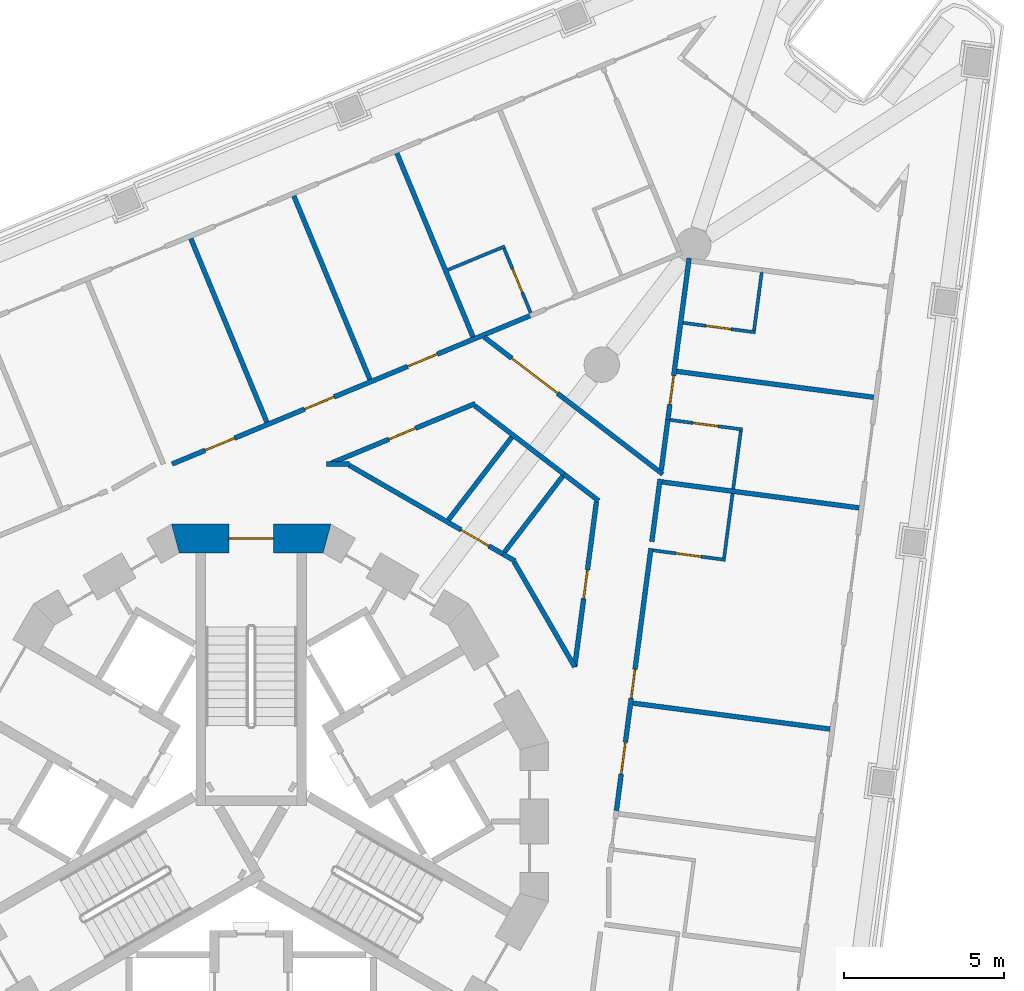
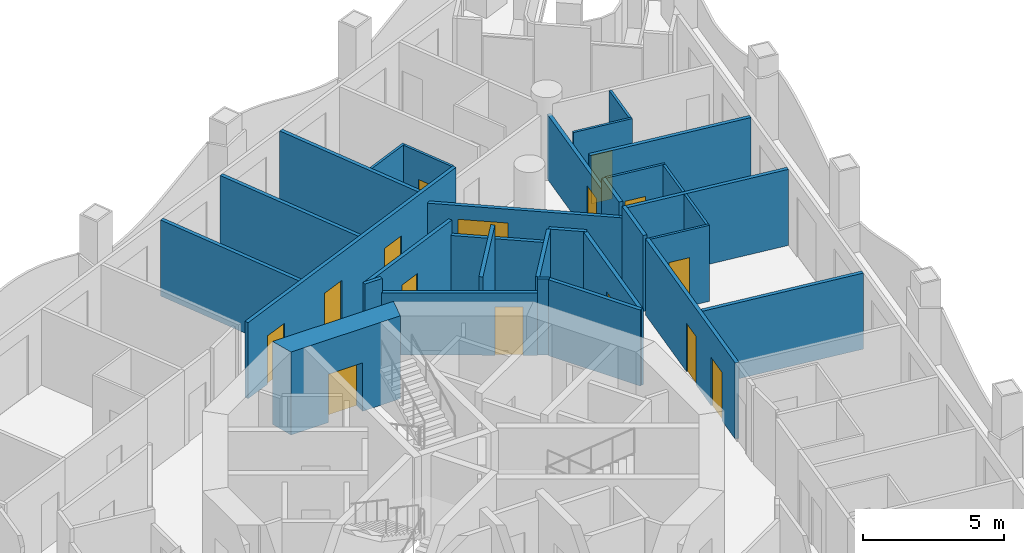
# One storey, part 9 of 17: 31 walls, 15 doors, 15 openings.
"""IFC4 building model written with IfcOpenShell, lengths in metres."""

import ifcopenshell
import ifcopenshell.guid

model = None  # the IFC model being written
_history = None  # IfcOwnerHistory: only IFC2X3 demands one
_inside = {}  # id of a spatial element -> (the spatial element, [elements in it])
_under = {}  # id of a project, library or spatial element -> (it, [spatial elements below it])
_declared = {}  # id of a project -> (the project, [libraries it declares])
_typed = {}  # id of a type object -> (the type object, [elements of that type])
_made_of = {}  # id of a material, layer set ... -> (it, [elements and type objects made of it])


def new_model(schema):
    """Start an empty IFC model of exactly this schema.

    Asked for "IFC4X3", IfcOpenShell would pick the latest addendum, in which some entities
    have other attributes; the version numbers below select the first issue.
    IFC2X3 requires an IfcOwnerHistory on every rooted entity: one is made here for all.
    """
    global model, _history
    if schema == "IFC4X3":
        model = ifcopenshell.file(schema_version=(4, 3, 0, 0))
    else:
        model = ifcopenshell.file(schema=schema)
    _inside.clear()
    _under.clear()
    _declared.clear()
    _typed.clear()
    _made_of.clear()
    _history = None
    if model.schema == "IFC2X3":
        org = make("IfcOrganization", Name="unknown")
        user = make(
            "IfcPersonAndOrganization",
            ThePerson=make("IfcPerson", FamilyName="unknown"),
            TheOrganization=org,
        )
        app = make(
            "IfcApplication",
            ApplicationDeveloper=org,
            Version="unknown",
            ApplicationFullName="unknown",
            ApplicationIdentifier="unknown",
        )
        _history = make(
            "IfcOwnerHistory",
            OwningUser=user,
            OwningApplication=app,
            ChangeAction="ADDED",
            CreationDate=0,
        )
    return model


def make(cls, **values):
    """One entity of the class cls with the attributes given. An attribute that is None is left unset."""
    return model.create_entity(
        cls, **{name: value for name, value in values.items() if value is not None}
    )


def rooted(cls, **values):
    """An entity with a GlobalId (a new one), such as an element, a storey or a relation."""
    return make(cls, GlobalId=ifcopenshell.guid.new(), OwnerHistory=_history, **values)


def si_unit(unit_type, name, prefix=None):
    """IfcSIUnit, for example si_unit("LENGTHUNIT", "METRE", prefix="MILLI")."""
    return make("IfcSIUnit", UnitType=unit_type, Prefix=prefix, Name=name)


def assignment(units):
    """IfcUnitAssignment: the units of a project."""
    return None if units is None else make("IfcUnitAssignment", Units=units)


def point(xyz):
    """IfcCartesianPoint."""
    return None if xyz is None else make("IfcCartesianPoint", Coordinates=xyz)


def direction(xyz):
    """IfcDirection."""
    return None if xyz is None else make("IfcDirection", DirectionRatios=xyz)


def frame(location, z_axis=None, x_axis=None):
    """IfcAxis2Placement3D, a coordinate frame: its origin and axes. An axis left out is left unset."""
    return make(
        "IfcAxis2Placement3D",
        Location=point(location),
        Axis=direction(z_axis),
        RefDirection=direction(x_axis),
    )


def frame_2d(location, x_axis=None):
    """IfcAxis2Placement2D, a coordinate frame in the plane: its origin and x axis."""
    return make(
        "IfcAxis2Placement2D", Location=point(location), RefDirection=direction(x_axis)
    )


def origin():
    """The frame at (0, 0, 0) with its axes left unset."""
    return frame((0.0, 0.0, 0.0))


def place(relative_to, where):
    """IfcLocalPlacement: puts the frame where relative to a parent placement (None: the world)."""
    return make(
        "IfcLocalPlacement", PlacementRelTo=relative_to, RelativePlacement=where
    )


def context(
    kind, dimensions, precision=None, world=None, true_north=None, identifier=None
):
    """IfcGeometricRepresentationContext, for example the 3D "Model" context."""
    return make(
        "IfcGeometricRepresentationContext",
        ContextIdentifier=identifier,
        ContextType=kind,
        CoordinateSpaceDimension=dimensions,
        Precision=precision,
        WorldCoordinateSystem=world,
        TrueNorth=true_north,
    )


def subcontext(parent, identifier, kind, view, scale=None):
    """IfcGeometricRepresentationSubContext, for example "Body" below "Model"."""
    return make(
        "IfcGeometricRepresentationSubContext",
        ContextIdentifier=identifier,
        ContextType=kind,
        ParentContext=parent,
        TargetScale=scale,
        TargetView=view,
    )


def project(units=None, contexts=None):
    """IfcProject with its units and contexts."""
    return rooted(
        "IfcProject",
        Name="project",
        RepresentationContexts=contexts,
        UnitsInContext=assignment(units),
    )


def spatial(cls, under=None, at=None, **own):
    """A site, building, storey or space (cls), placed at a placement, below another one or the project."""
    s = rooted(cls, ObjectPlacement=at, **own)
    if under is not None:
        _under.setdefault(under.id(), (under, []))[1].append(s)
    return s


def polyline(points):
    """IfcPolyline through the points."""
    return make("IfcPolyline", Points=[point(p) for p in points])


def profile(cls, at=None, kind="AREA", **sizes):
    """A parametric profile (cls). Its sizes go by their IFC names, for example OverallWidth=200.0."""
    return make(cls, ProfileType=kind, Position=at, **sizes)


def rectangle(**sizes):
    """IfcRectangleProfileDef."""
    return profile("IfcRectangleProfileDef", **sizes)


def outline(outer, holes=None, kind="AREA"):
    """IfcArbitraryClosedProfileDef: a profile drawn as a closed curve; with holes, ...WithVoids."""
    if holes is None:
        return make("IfcArbitraryClosedProfileDef", ProfileType=kind, OuterCurve=outer)
    return make(
        "IfcArbitraryProfileDefWithVoids",
        ProfileType=kind,
        OuterCurve=outer,
        InnerCurves=holes,
    )


def extrude(swept, where, along, depth):
    """IfcExtrudedAreaSolid: the profile swept, set in the frame where, extruded along a direction by depth."""
    return make(
        "IfcExtrudedAreaSolid",
        SweptArea=swept,
        Position=where,
        ExtrudedDirection=direction(along),
        Depth=depth,
    )


def shape(context_of_items, identifier, shape_type, items):
    """IfcShapeRepresentation: the items that make up one representation, for example the "Body"."""
    return make(
        "IfcShapeRepresentation",
        ContextOfItems=context_of_items,
        RepresentationIdentifier=identifier,
        RepresentationType=shape_type,
        Items=items,
    )


def material(Name=None, Category=None):
    """IfcMaterial."""
    return make("IfcMaterial", Name=Name, Category=Category)


def layer(
    of_material, thickness, ventilated=None, Name=None, Category=None, Priority=None
):
    """IfcMaterialLayer: one layer of a wall or slab, of a material (None: an air gap)."""
    return make(
        "IfcMaterialLayer",
        Material=of_material,
        LayerThickness=thickness,
        IsVentilated=ventilated,
        Name=Name,
        Category=Category,
        Priority=Priority,
    )


def layer_set(layers, Name=None):
    """IfcMaterialLayerSet."""
    return make("IfcMaterialLayerSet", MaterialLayers=layers, LayerSetName=Name)


def made_of(thing, what):
    """Note that an element or type object is made of a material, layer set ...; save() writes the relation."""
    if what is not None:
        _made_of.setdefault(what.id(), (what, []))[1].append(thing)
    return thing


def type_object(cls, material=None, **own):
    """A type object (cls), such as IfcWallType, which elements share."""
    return made_of(rooted(cls, **own), material)


def element(
    cls,
    number,
    at=None,
    inside=None,
    cuts=None,
    type_object=None,
    material=None,
    context=None,
    identifier="Body",
    shape_type=None,
    held_by="IfcProductDefinitionShape",
    body=None,
    shapes=None,
    **own,
):
    """One element of the class cls, such as IfcWall. Its Tag is "e" and its number.

    at: its placement. inside: the storey or other place that contains it. cuts: it is an
    opening in that element (IfcRelVoidsElement). A single representation is given by context,
    identifier, shape_type and body (its items); several are given by shapes. held_by: the class
    of the entity that holds the representations. save() writes the other relations.
    """
    e = rooted(cls, Tag="e%d" % number, ObjectPlacement=at, **own)
    if body is not None:
        shapes = [shape(context, identifier, shape_type, body)]
    if shapes is not None:
        e.Representation = make(held_by, Representations=shapes)
    if inside is not None:
        _inside.setdefault(inside.id(), (inside, []))[1].append(e)
    if cuts is not None:
        rooted(
            "IfcRelVoidsElement", RelatingBuildingElement=cuts, RelatedOpeningElement=e
        )
    if type_object is not None:
        _typed.setdefault(type_object.id(), (type_object, []))[1].append(e)
    return made_of(e, material)


def fill(opening, filler):
    """IfcRelFillsElement: the door or window that sits in an opening."""
    return rooted(
        "IfcRelFillsElement",
        RelatingOpeningElement=opening,
        RelatedBuildingElement=filler,
    )


def aggregate(whole, parts):
    """IfcRelAggregates: a whole, such as a stair, and the parts it consists of."""
    return rooted("IfcRelAggregates", RelatingObject=whole, RelatedObjects=parts)


def save(model, path):
    """Write the relations noted so far, then the file.

    IfcRelAggregates (storeys below a building ...), IfcRelContainedInSpatialStructure (elements
    in a storey), IfcRelDefinesByType, IfcRelAssociatesMaterial and IfcRelDeclares: one each for
    every whole, place, type object, material and project.
    """
    for whole, parts in _under.values():
        aggregate(whole, parts)
    for where, things in _inside.values():
        rooted(
            "IfcRelContainedInSpatialStructure",
            RelatedElements=things,
            RelatingStructure=where,
        )
    for kind, things in _typed.values():
        rooted("IfcRelDefinesByType", RelatedObjects=things, RelatingType=kind)
    for what, things in _made_of.values():
        rooted("IfcRelAssociatesMaterial", RelatedObjects=things, RelatingMaterial=what)
    for by, libraries in _declared.values():
        rooted("IfcRelDeclares", RelatingContext=by, RelatedDefinitions=libraries)
    model.write(path)


model = new_model("IFC4")

# Units and contexts
model_context = context("Model", 3, precision=1e-05, world=origin(), true_north=direction((0.0, 1.0)))
body_context = subcontext(model_context, "Body", "Model", "MODEL_VIEW")
ifc_project = project(units=[si_unit("LENGTHUNIT", "METRE"), si_unit("AREAUNIT", "SQUARE_METRE"), si_unit("VOLUMEUNIT", "CUBIC_METRE"), si_unit("PLANEANGLEUNIT", "RADIAN"), si_unit("MASSUNIT", "GRAM", prefix="KILO")], contexts=[model_context])

# Site, building, storey
site_placement = place(None, origin())
site = spatial("IfcSite", under=ifc_project, at=site_placement, CompositionType="ELEMENT")
building_placement = place(site_placement, origin())
building = spatial("IfcBuilding", under=site, at=building_placement, Name="Trine Commons Tower", CompositionType="ELEMENT")
storey_placement = place(building_placement, frame((0.0, 0.0, 131.39990234375)))
storey = spatial("IfcBuildingStorey", under=building, at=storey_placement, Name="L33", CompositionType="ELEMENT", Elevation=131.39990234375)

# Wall, opening, door
ifc_material_1 = material(Name="Concrete C70/85", Category="concrete")
ifc_layer_1 = layer(ifc_material_1, 0.89990234375)
ifc_layer_set_1 = layer_set([ifc_layer_1], Name="Concrete C70/85")
wall_type_1 = type_object("IfcWallType", Name="RC shear wall 900 mm, C70/85", PredefinedType="SHEAR", material=ifc_layer_set_1)
wall_1_placement = place(storey_placement, frame((82.484619140625, 71.322998046875, 0.0), z_axis=(0.0, 0.0, 1.0), x_axis=(-1.0, 0.0, 0.0)))
wall_1 = element("IfcWall", 1, at=wall_1_placement, inside=storey, type_object=wall_type_1, Name="Core wall CWD-04 L33", PredefinedType="SHEAR", context=body_context, shape_type="SweptSolid", body=[
    extrude(outline(polyline([(0.0, -0.449951171875), (4.969482421875, -0.449951171875), (4.728271484375, 0.449951171875), (0.2412109375, 0.449951171875), (0.0, -0.449951171875)])), origin(), (0.0, 0.0, 1.0), 3.60009765625),
])
opening_1_placement = place(wall_1_placement, frame((1.78466796875, 0.0, 0.0)))
opening_1 = element("IfcOpeningElement", 2, at=opening_1_placement, cuts=wall_1, Name="Opening K12.01", PredefinedType="OPENING", context=body_context, shape_type="SweptSolid", body=[
    extrude(rectangle(XDim=1.39990234375, YDim=2.10009765625, at=frame_2d((0.699951171875, 1.050048828125))), frame((0.0, 0.4599609375, 0.0), z_axis=(0.0, -1.0, 0.0), x_axis=(1.0, 0.0, 0.0)), (0.0, 0.0, 1.0), 0.919921875),
])
ifc_material_2 = material(Name="Steel door leaves, fire-rated", Category="steel")
door_type_1 = type_object("IfcDoorType", Name="Stair door, double leaf 1400 x 2100, FD90", OperationType="DOUBLE_DOOR_SINGLE_SWING", PredefinedType="DOOR", material=ifc_material_2)
door_1_placement = place(opening_1_placement, origin())
door_1 = element("IfcDoor", 3, at=door_1_placement, inside=storey, type_object=door_type_1, Name="Stair door to Exit stair ST1B L33", OperationType="DOUBLE_DOOR_SINGLE_SWING", OverallHeight=2.10009765625, OverallWidth=1.39990234375, PredefinedType="DOOR", context=body_context, shape_type="SweptSolid", body=[
    extrude(rectangle(XDim=1.39990234375, YDim=2.10009765625, at=frame_2d((0.699951171875, 1.050048828125))), frame((0.0, 0.02490234375, 0.0), z_axis=(0.0, -1.0, 0.0), x_axis=(1.0, 0.0, 0.0)), (0.0, 0.0, 1.0), 0.050048828125),
])
fill(opening_1, door_1)

# Wall, openings, doors
ifc_material_3 = material(Name="Gypsum plasterboard on steel stud", Category="steel")
ifc_layer_2 = layer(ifc_material_3, 0.14990234375)
ifc_layer_set_2 = layer_set([ifc_layer_2], Name="Gypsum plasterboard on steel stud")
wall_type_2 = type_object("IfcWallType", Name="Unit and corridor wall 150 mm, EI 60", PredefinedType="PARTITIONING", material=ifc_layer_set_2)
wall_2_placement = place(storey_placement, frame((77.531982421875, 73.64794921875, 0.0), z_axis=(0.0, 0.0, 1.0), x_axis=(0.923863379582, 0.382722426659, 0.0)))
wall_2 = element("IfcWall", 4, at=wall_2_placement, inside=storey, type_object=wall_type_2, Name="Partition 059", PredefinedType="PARTITIONING", context=body_context, shape_type="SweptSolid", body=[
    extrude(rectangle(XDim=12.139404296875, YDim=0.14990234375, at=frame_2d((6.06982421875, 0.0))), origin(), (0.0, 0.0, 1.0), 3.300048828125),
])
opening_2_placement = place(wall_2_placement, frame((1.115966796875, 0.0, 0.0)))
opening_2 = element("IfcOpeningElement", 5, at=opening_2_placement, cuts=wall_2, Name="Opening D-4A10", PredefinedType="OPENING", context=body_context, shape_type="SweptSolid", body=[
    extrude(rectangle(XDim=1.0, YDim=2.10009765625, at=frame_2d((0.5, 1.050048828125))), frame((0.0, 0.0849609375, 0.0), z_axis=(0.0, -1.0, 0.0), x_axis=(1.0, 0.0, 0.0)), (0.0, 0.0, 1.0), 0.169921875),
])
opening_3_placement = place(wall_2_placement, frame((4.46875, 0.0, 0.0)))
opening_3 = element("IfcOpeningElement", 6, at=opening_3_placement, cuts=wall_2, Name="Opening D-4A11", PredefinedType="OPENING", context=body_context, shape_type="SweptSolid", body=[
    extrude(rectangle(XDim=1.0, YDim=2.10009765625, at=frame_2d((0.5, 1.050048828125))), frame((0.0, 0.0849609375, 0.0), z_axis=(0.0, -1.0, 0.0), x_axis=(1.0, 0.0, 0.0)), (0.0, 0.0, 1.0), 0.169921875),
])
opening_4_placement = place(wall_2_placement, frame((7.946533203125, 0.0, 0.0)))
opening_4 = element("IfcOpeningElement", 7, at=opening_4_placement, cuts=wall_2, Name="Opening D-4A12", PredefinedType="OPENING", context=body_context, shape_type="SweptSolid", body=[
    extrude(rectangle(XDim=1.0, YDim=2.10009765625, at=frame_2d((0.5, 1.050048828125))), frame((0.0, 0.0849609375, 0.0), z_axis=(0.0, -1.0, 0.0), x_axis=(1.0, 0.0, 0.0)), (0.0, 0.0, 1.0), 0.169921875),
])
ifc_material_4 = material(Name="Painted timber", Category="wood")
door_type_2 = type_object("IfcDoorType", Name="Amenity room door 1000 x 2100, NOT RATED", OperationType="NOTDEFINED", PredefinedType="DOOR", material=ifc_material_4)
door_2_placement = place(opening_3_placement, origin())
door_2 = element("IfcDoor", 8, at=door_2_placement, inside=storey, type_object=door_type_2, Name="Door D-4A11", OperationType="SINGLE_SWING_LEFT", OverallHeight=2.10009765625, OverallWidth=1.0, PredefinedType="DOOR", context=body_context, shape_type="SweptSolid", body=[
    extrude(rectangle(XDim=1.0, YDim=2.10009765625, at=frame_2d((0.5, 1.050048828125))), frame((0.0, 0.02490234375, 0.0), z_axis=(0.0, -1.0, 0.0), x_axis=(1.0, 0.0, 0.0)), (0.0, 0.0, 1.0), 0.050048828125),
])
fill(opening_3, door_2)
door_3_placement = place(opening_4_placement, origin())
door_3 = element("IfcDoor", 9, at=door_3_placement, inside=storey, type_object=door_type_2, Name="Door D-4A12", OperationType="SINGLE_SWING_RIGHT", OverallHeight=2.10009765625, OverallWidth=1.0, PredefinedType="DOOR", context=body_context, shape_type="SweptSolid", body=[
    extrude(rectangle(XDim=1.0, YDim=2.10009765625, at=frame_2d((0.5, 1.050048828125))), frame((0.0, 0.02490234375, 0.0), z_axis=(0.0, -1.0, 0.0), x_axis=(1.0, 0.0, 0.0)), (0.0, 0.0, 1.0), 0.050048828125),
])
fill(opening_4, door_3)
door_type_3 = type_object("IfcDoorType", Name="Toilet door 1000 x 2100, NOT RATED", OperationType="NOTDEFINED", PredefinedType="DOOR", material=ifc_material_4)
door_4_placement = place(opening_2_placement, origin())
door_4 = element("IfcDoor", 10, at=door_4_placement, inside=storey, type_object=door_type_3, Name="Door D-4A10", OperationType="SINGLE_SWING_LEFT", OverallHeight=2.10009765625, OverallWidth=1.0, PredefinedType="DOOR", context=body_context, shape_type="SweptSolid", body=[
    extrude(rectangle(XDim=1.0, YDim=2.10009765625, at=frame_2d((0.5, 1.050048828125))), frame((0.0, 0.02490234375, 0.0), z_axis=(0.0, -1.0, 0.0), x_axis=(1.0, 0.0, 0.0)), (0.0, 0.0, 1.0), 0.050048828125),
])
fill(opening_2, door_4)

# Walls
wall_3_placement = place(storey_placement, frame((78.1171875, 80.676025390625, 0.0), z_axis=(0.0, 0.0, 1.0), x_axis=(0.382644207456, -0.923895779025, 0.0)))
element("IfcWall", 11, at=wall_3_placement, inside=storey, type_object=wall_type_2, Name="Partition 060", PredefinedType="PARTITIONING", context=body_context, shape_type="SweptSolid", body=[
    extrude(rectangle(XDim=6.194091796875, YDim=0.14990234375, at=frame_2d((3.09716796875, 0.0))), origin(), (0.0, 0.0, 1.0), 3.300048828125),
])
wall_4_placement = place(storey_placement, frame((81.329345703125, 82.007080078125, 0.0), z_axis=(0.0, 0.0, 1.0), x_axis=(0.382731197273, -0.923859746192, 0.0)))
element("IfcWall", 12, at=wall_4_placement, inside=storey, type_object=wall_type_2, Name="Partition 064", PredefinedType="PARTITIONING", context=body_context, shape_type="SweptSolid", body=[
    extrude(rectangle(XDim=6.194580078125, YDim=0.14990234375, at=frame_2d((3.09716796875, 0.0))), origin(), (0.0, 0.0, 1.0), 3.300048828125),
])
wall_5_placement = place(storey_placement, frame((82.35205078125, 73.64794921875, 0.0), z_axis=(0.0, 0.0, 1.0), x_axis=(1.0, 0.0, 0.0)))
element("IfcWall", 13, at=wall_5_placement, inside=storey, type_object=wall_type_2, Name="Partition 067", PredefinedType="PARTITIONING", context=body_context, shape_type="SweptSolid", body=[
    extrude(rectangle(XDim=0.7099609375, YDim=0.14990234375, at=frame_2d((0.35498046875, 0.0))), origin(), (0.0, 0.0, 1.0), 3.300048828125),
])

# Wall, opening, door
wall_6_placement = place(storey_placement, frame((82.500244140625, 73.6767578125, 0.0), z_axis=(0.0, 0.0, 1.0), x_axis=(0.923900404771, 0.382633038384, 0.0)))
wall_6 = element("IfcWall", 14, at=wall_6_placement, inside=storey, type_object=wall_type_2, Name="Partition 068", PredefinedType="PARTITIONING", context=body_context, shape_type="SweptSolid", body=[
    extrude(rectangle(XDim=4.855712890625, YDim=0.14990234375, at=frame_2d((2.427734375, 0.0))), origin(), (0.0, 0.0, 1.0), 3.300048828125),
])
opening_5_placement = place(wall_6_placement, frame((1.940185546875, 0.0, 0.0)))
opening_5 = element("IfcOpeningElement", 15, at=opening_5_placement, cuts=wall_6, Name="Opening D-4A34", PredefinedType="OPENING", context=body_context, shape_type="SweptSolid", body=[
    extrude(rectangle(XDim=0.89990234375, YDim=2.10009765625, at=frame_2d((0.449951171875, 1.050048828125))), frame((0.0, 0.0849609375, 0.0), z_axis=(0.0, -1.0, 0.0), x_axis=(1.0, 0.0, 0.0)), (0.0, 0.0, 1.0), 0.169921875),
])
ifc_material_5 = material(Name="Timber fire door set", Category="wood")
door_type_4 = type_object("IfcDoorType", Name="Service door 900 x 2100, FD30S", OperationType="NOTDEFINED", PredefinedType="DOOR", material=ifc_material_5)
door_5_placement = place(opening_5_placement, frame((0.89990234375, 0.0, 0.0), z_axis=(0.0, 0.0, 1.0), x_axis=(-1.0, 0.0, 0.0)))
door_5 = element("IfcDoor", 16, at=door_5_placement, inside=storey, type_object=door_type_4, Name="Door D-4A34", OperationType="SINGLE_SWING_RIGHT", OverallHeight=2.10009765625, OverallWidth=0.89990234375, PredefinedType="DOOR", context=body_context, shape_type="SweptSolid", body=[
    extrude(rectangle(XDim=0.89990234375, YDim=2.10009765625, at=frame_2d((0.449951171875, 1.050048828125))), frame((0.0, 0.02490234375, 0.0), z_axis=(0.0, -1.0, 0.0), x_axis=(1.0, 0.0, 0.0)), (0.0, 0.0, 1.0), 0.050048828125),
])
fill(opening_5, door_5)

wall_7_placement = place(storey_placement, frame((83.052001953125, 73.610595703125, 0.0), z_axis=(0.0, 0.0, 1.0), x_axis=(0.866011740381, -0.500023664962, 0.0)))
wall_7 = element("IfcWall", 17, at=wall_7_placement, inside=storey, type_object=wall_type_2, Name="Partition 071", PredefinedType="PARTITIONING", context=body_context, shape_type="SweptSolid", body=[
    extrude(rectangle(XDim=5.542724609375, YDim=0.14990234375, at=frame_2d((2.771484375, 0.0))), origin(), (0.0, 0.0, 1.0), 2.7001953125),
])
opening_6_placement = place(wall_7_placement, frame((4.030517578125, 0.0, 0.0)))
opening_6 = element("IfcOpeningElement", 18, at=opening_6_placement, cuts=wall_7, Name="Opening D-4A38", PredefinedType="OPENING", context=body_context, shape_type="SweptSolid", body=[
    extrude(rectangle(XDim=1.0, YDim=2.10009765625, at=frame_2d((0.5, 1.050048828125))), frame((0.0, 0.0849609375, 0.0), z_axis=(0.0, -1.0, 0.0), x_axis=(1.0, 0.0, 0.0)), (0.0, 0.0, 1.0), 0.169921875),
])
door_6_placement = place(opening_6_placement, origin())
door_6 = element("IfcDoor", 19, at=door_6_placement, inside=storey, type_object=door_type_3, Name="Door D-4A38", OperationType="SINGLE_SWING_RIGHT", OverallHeight=2.10009765625, OverallWidth=1.0, PredefinedType="DOOR", context=body_context, shape_type="SweptSolid", body=[
    extrude(rectangle(XDim=1.0, YDim=2.10009765625, at=frame_2d((0.5, 1.050048828125))), frame((0.0, 0.02490234375, 0.0), z_axis=(0.0, -1.0, 0.0), x_axis=(1.0, 0.0, 0.0)), (0.0, 0.0, 1.0), 0.050048828125),
])
fill(opening_6, door_6)

# Walls
wall_8_placement = place(storey_placement, frame((84.542236328125, 83.337890625, 0.0), z_axis=(0.0, 0.0, 1.0), x_axis=(0.382778772429, -0.9238400356, 0.0)))
element("IfcWall", 20, at=wall_8_placement, inside=storey, type_object=wall_type_2, Name="Partition 077", PredefinedType="PARTITIONING", context=body_context, shape_type="SweptSolid", body=[
    extrude(rectangle(XDim=6.1943359375, YDim=0.14990234375, at=frame_2d((3.09716796875, 0.0))), origin(), (0.0, 0.0, 1.0), 3.300048828125),
])
wall_9_placement = place(storey_placement, frame((86.147705078125, 71.908447265625, 0.0), z_axis=(0.0, 0.0, 1.0), x_axis=(0.608765985087, 0.793349844269, 0.0)))
element("IfcWall", 21, at=wall_9_placement, inside=storey, type_object=wall_type_2, Name="Partition 081", PredefinedType="PARTITIONING", context=body_context, shape_type="SweptSolid", body=[
    extrude(rectangle(XDim=3.24853515625, YDim=0.14990234375, at=frame_2d((1.624267578125, 0.0))), origin(), (0.0, 0.0, 1.0), 3.300048828125),
])
wall_10_placement = place(storey_placement, frame((86.9765625, 75.460205078125, 0.0), z_axis=(0.0, 0.0, 1.0), x_axis=(0.793436349507, -0.608653234018, 0.0)))
element("IfcWall", 22, at=wall_10_placement, inside=storey, type_object=wall_type_2, Name="Partition 082", PredefinedType="PARTITIONING", context=body_context, shape_type="SweptSolid", body=[
    extrude(rectangle(XDim=3.583251953125, YDim=0.14990234375, at=frame_2d((1.79150390625, 0.0))), origin(), (0.0, 0.0, 1.0), 2.7001953125),
])

# Wall, opening, door
wall_11_placement = place(storey_placement, frame((87.259521484375, 77.607421875, 0.0), z_axis=(0.0, 0.0, 1.0), x_axis=(0.79336631803, -0.608744515718, 0.0)))
wall_11 = element("IfcWall", 23, at=wall_11_placement, inside=storey, type_object=wall_type_2, Name="Partition 083", PredefinedType="PARTITIONING", context=body_context, shape_type="SweptSolid", body=[
    extrude(rectangle(XDim=7.0244140625, YDim=0.14990234375, at=frame_2d((3.51220703125, 0.0))), origin(), (0.0, 0.0, 1.0), 2.7001953125),
])
opening_7_placement = place(wall_11_placement, frame((1.086181640625, 0.0, 0.0)))
opening_7 = element("IfcOpeningElement", 24, at=opening_7_placement, cuts=wall_11, Name="Opening D-4A01", PredefinedType="OPENING", context=body_context, shape_type="SweptSolid", body=[
    extrude(rectangle(XDim=1.800048828125, YDim=2.10009765625, at=frame_2d((0.89990234375, 1.050048828125))), frame((0.0, 0.0849609375, 0.0), z_axis=(0.0, -1.0, 0.0), x_axis=(1.0, 0.0, 0.0)), (0.0, 0.0, 1.0), 0.169921875),
])
door_type_5 = type_object("IfcDoorType", Name="Cluster entrance door 1800 x 2100, double leaf, FD30S", OperationType="DOUBLE_DOOR_DOUBLE_SWING", PredefinedType="DOOR", material=ifc_material_5)
door_7_placement = place(opening_7_placement, origin())
door_7 = element("IfcDoor", 25, at=door_7_placement, inside=storey, type_object=door_type_5, Name="Door D-4A01", OperationType="DOUBLE_DOOR_DOUBLE_SWING", OverallHeight=2.10009765625, OverallWidth=1.800048828125, PredefinedType="DOOR", context=body_context, shape_type="SweptSolid", body=[
    extrude(rectangle(XDim=1.800048828125, YDim=2.10009765625, at=frame_2d((0.89990234375, 1.050048828125))), frame((0.0, 0.02490234375, 0.0), z_axis=(0.0, -1.0, 0.0), x_axis=(1.0, 0.0, 0.0)), (0.0, 0.0, 1.0), 0.050048828125),
])
fill(opening_7, door_7)

# Walls
wall_12_placement = place(storey_placement, frame((87.845947265625, 70.843017578125, 0.0), z_axis=(0.0, 0.0, 1.0), x_axis=(0.86587042983, -0.500268326746, 0.0)))
element("IfcWall", 26, at=wall_12_placement, inside=storey, type_object=wall_type_2, Name="Partition 088", PredefinedType="PARTITIONING", context=body_context, shape_type="SweptSolid", body=[
    extrude(rectangle(XDim=0.438720703125, YDim=0.14990234375, at=frame_2d((0.21923828125, 0.0))), origin(), (0.0, 0.0, 1.0), 3.300048828125),
])
wall_13_placement = place(storey_placement, frame((87.894775390625, 70.900390625, 0.0), z_axis=(0.0, 0.0, 1.0), x_axis=(0.608761301523, 0.793353438114, 0.0)))
element("IfcWall", 27, at=wall_13_placement, inside=storey, type_object=wall_type_2, Name="Partition 089", PredefinedType="PARTITIONING", context=body_context, shape_type="SweptSolid", body=[
    extrude(rectangle(XDim=2.98388671875, YDim=0.14990234375, at=frame_2d((1.491943359375, 0.0))), origin(), (0.0, 0.0, 1.0), 3.300048828125),
])
wall_14_placement = place(storey_placement, frame((88.198486328125, 70.595947265625, 0.0), z_axis=(0.0, 0.0, 1.0), x_axis=(0.499871635049, -0.86609950264, 0.0)))
element("IfcWall", 28, at=wall_14_placement, inside=storey, type_object=wall_type_2, Name="Partition 092", PredefinedType="PARTITIONING", context=body_context, shape_type="SweptSolid", body=[
    extrude(rectangle(XDim=3.77783203125, YDim=0.14990234375, at=frame_2d((1.888916015625, 0.0))), origin(), (0.0, 0.0, 1.0), 3.300048828125),
])
wall_15_placement = place(storey_placement, frame((89.75390625, 73.3291015625, 0.0), z_axis=(0.0, 0.0, 1.0), x_axis=(0.793704663206, -0.608303302313, 0.0)))
element("IfcWall", 29, at=wall_15_placement, inside=storey, type_object=wall_type_2, Name="Partition 102", PredefinedType="PARTITIONING", context=body_context, shape_type="SweptSolid", body=[
    extrude(rectangle(XDim=1.35888671875, YDim=0.14990234375, at=frame_2d((0.679443359375, 0.0))), origin(), (0.0, 0.0, 1.0), 3.300048828125),
])

# Wall, opening, door
wall_16_placement = place(storey_placement, frame((90.0849609375, 67.326904296875, 0.0), z_axis=(0.0, 0.0, 1.0), x_axis=(0.130647942506, 0.991428825039, 0.0)))
wall_16 = element("IfcWall", 30, at=wall_16_placement, inside=storey, type_object=wall_type_2, Name="Partition 106", PredefinedType="PARTITIONING", context=body_context, shape_type="SweptSolid", body=[
    extrude(rectangle(XDim=5.191162109375, YDim=0.14990234375, at=frame_2d((2.595703125, 0.0))), origin(), (0.0, 0.0, 1.0), 3.300048828125),
])
opening_8_placement = place(wall_16_placement, frame((2.1455078125, 0.0, 0.0)))
opening_8 = element("IfcOpeningElement", 31, at=opening_8_placement, cuts=wall_16, Name="Opening D-4A35", PredefinedType="OPENING", context=body_context, shape_type="SweptSolid", body=[
    extrude(rectangle(XDim=0.89990234375, YDim=2.10009765625, at=frame_2d((0.449951171875, 1.050048828125))), frame((0.0, 0.0849609375, 0.0), z_axis=(0.0, -1.0, 0.0), x_axis=(1.0, 0.0, 0.0)), (0.0, 0.0, 1.0), 0.169921875),
])
door_8_placement = place(opening_8_placement, origin())
door_8 = element("IfcDoor", 32, at=door_8_placement, inside=storey, type_object=door_type_4, Name="Door D-4A35", OperationType="SINGLE_SWING_LEFT", OverallHeight=2.10009765625, OverallWidth=0.89990234375, PredefinedType="DOOR", context=body_context, shape_type="SweptSolid", body=[
    extrude(rectangle(XDim=0.89990234375, YDim=2.10009765625, at=frame_2d((0.449951171875, 1.050048828125))), frame((0.0, 0.02490234375, 0.0), z_axis=(0.0, -1.0, 0.0), x_axis=(1.0, 0.0, 0.0)), (0.0, 0.0, 1.0), 0.050048828125),
])
fill(opening_8, door_8)

# Wall, openings, doors
wall_17_placement = place(storey_placement, frame((91.3740234375, 62.751953125, 0.0), z_axis=(0.0, 0.0, 1.0), x_axis=(0.130502976736, 0.991447917474, 0.0)))
wall_17 = element("IfcWall", 33, at=wall_17_placement, inside=storey, type_object=wall_type_2, Name="Partition 120", PredefinedType="PARTITIONING", context=body_context, shape_type="SweptSolid", body=[
    extrude(rectangle(XDim=8.33984375, YDim=0.14990234375, at=frame_2d((4.169921875, 0.0))), origin(), (0.0, 0.0, 1.0), 3.300048828125),
])
opening_9_placement = place(wall_17_placement, frame((3.6318359375, 0.0, 0.0)))
opening_9 = element("IfcOpeningElement", 34, at=opening_9_placement, cuts=wall_17, Name="Opening D-4A17", PredefinedType="OPENING", context=body_context, shape_type="SweptSolid", body=[
    extrude(rectangle(XDim=0.89990234375, YDim=2.10009765625, at=frame_2d((0.449951171875, 1.050048828125))), frame((0.0, 0.0849609375, 0.0), z_axis=(0.0, -1.0, 0.0), x_axis=(1.0, 0.0, 0.0)), (0.0, 0.0, 1.0), 0.169921875),
])
opening_10_placement = place(wall_17_placement, frame((1.242919921875, 0.0, 0.0)))
opening_10 = element("IfcOpeningElement", 35, at=opening_10_placement, cuts=wall_17, Name="Opening D-4A18", PredefinedType="OPENING", context=body_context, shape_type="SweptSolid", body=[
    extrude(rectangle(XDim=1.0, YDim=2.10009765625, at=frame_2d((0.5, 1.050048828125))), frame((0.0, 0.0849609375, 0.0), z_axis=(0.0, -1.0, 0.0), x_axis=(1.0, 0.0, 0.0)), (0.0, 0.0, 1.0), 0.169921875),
])
door_9_placement = place(opening_10_placement, frame((1.0, 0.0, 0.0), z_axis=(0.0, 0.0, 1.0), x_axis=(-1.0, 0.0, 0.0)))
door_9 = element("IfcDoor", 36, at=door_9_placement, inside=storey, type_object=door_type_2, Name="Door D-4A18", OperationType="SINGLE_SWING_RIGHT", OverallHeight=2.10009765625, OverallWidth=1.0, PredefinedType="DOOR", context=body_context, shape_type="SweptSolid", body=[
    extrude(rectangle(XDim=1.0, YDim=2.10009765625, at=frame_2d((0.5, 1.050048828125))), frame((0.0, 0.02490234375, 0.0), z_axis=(0.0, -1.0, 0.0), x_axis=(1.0, 0.0, 0.0)), (0.0, 0.0, 1.0), 0.050048828125),
])
fill(opening_10, door_9)
door_type_6 = type_object("IfcDoorType", Name="Bedroom door 900 x 2100, FD30S", OperationType="NOTDEFINED", PredefinedType="DOOR", material=ifc_material_5)
door_10_placement = place(opening_9_placement, frame((0.89990234375, 0.0, 0.0), z_axis=(0.0, 0.0, 1.0), x_axis=(-1.0, 0.0, 0.0)))
door_10 = element("IfcDoor", 37, at=door_10_placement, inside=storey, type_object=door_type_6, Name="Door D-4A17", OperationType="SINGLE_SWING_RIGHT", OverallHeight=2.10009765625, OverallWidth=0.89990234375, PredefinedType="DOOR", context=body_context, shape_type="SweptSolid", body=[
    extrude(rectangle(XDim=0.89990234375, YDim=2.10009765625, at=frame_2d((0.449951171875, 1.050048828125))), frame((0.0, 0.02490234375, 0.0), z_axis=(0.0, -1.0, 0.0), x_axis=(1.0, 0.0, 0.0)), (0.0, 0.0, 1.0), 0.050048828125),
])
fill(opening_9, door_10)

# Walls
wall_18_placement = place(storey_placement, frame((91.9033203125, 66.194091796875, 0.0), z_axis=(0.0, 0.0, 1.0), x_axis=(0.991436980159, -0.130586042033, 0.0)))
element("IfcWall", 38, at=wall_18_placement, inside=storey, type_object=wall_type_2, Name="Partition 123", PredefinedType="PARTITIONING", context=body_context, shape_type="SweptSolid", body=[
    extrude(rectangle(XDim=6.19384765625, YDim=0.14990234375, at=frame_2d((3.096923828125, 0.0))), origin(), (0.0, 0.0, 1.0), 3.300048828125),
])
wall_19_placement = place(storey_placement, frame((92.489990234375, 71.22998046875, 0.0), z_axis=(0.0, 0.0, 1.0), x_axis=(0.130747069904, 0.991415757244, 0.0)))
element("IfcWall", 39, at=wall_19_placement, inside=storey, type_object=wall_type_2, Name="Partition 127", PredefinedType="PARTITIONING", context=body_context, shape_type="SweptSolid", body=[
    extrude(rectangle(XDim=1.96435546875, YDim=0.14990234375, at=frame_2d((0.982177734375, 0.0))), origin(), (0.0, 0.0, 1.0), 3.300048828125),
])
wall_20_placement = place(storey_placement, frame((92.811279296875, 73.089111328125, 0.0), z_axis=(0.0, 0.0, 1.0), x_axis=(0.991458051546, -0.130425963766, 0.0)))
element("IfcWall", 40, at=wall_20_placement, inside=storey, type_object=wall_type_2, Name="Partition 128", PredefinedType="PARTITIONING", context=body_context, shape_type="SweptSolid", body=[
    extrude(rectangle(XDim=6.194091796875, YDim=0.14990234375, at=frame_2d((3.09716796875, 0.0))), origin(), (0.0, 0.0, 1.0), 3.300048828125),
])
wall_21_placement = place(storey_placement, frame((92.78271484375, 73.451416015625, 0.0), z_axis=(0.0, 0.0, 1.0), x_axis=(0.130312245432, 0.991473004519, 0.0)))
element("IfcWall", 41, at=wall_21_placement, inside=storey, type_object=wall_type_2, Name="Partition 129", PredefinedType="PARTITIONING", context=body_context, shape_type="SweptSolid", body=[
    extrude(rectangle(XDim=1.59814453125, YDim=0.14990234375, at=frame_2d((0.799072265625, 0.0))), origin(), (0.0, 0.0, 1.0), 3.300048828125),
])

# Wall, opening, door
wall_22_placement = place(storey_placement, frame((92.9833984375, 74.978515625, 0.0), z_axis=(0.0, 0.0, 1.0), x_axis=(0.130587368937, 0.991436805386, 0.0)))
wall_22 = element("IfcWall", 42, at=wall_22_placement, inside=storey, type_object=wall_type_2, Name="Partition 130", PredefinedType="PARTITIONING", context=body_context, shape_type="SweptSolid", body=[
    extrude(rectangle(XDim=5.1337890625, YDim=0.14990234375, at=frame_2d((2.56689453125, 0.0))), origin(), (0.0, 0.0, 1.0), 2.800048828125),
])
opening_11_placement = place(wall_22_placement, frame((0.531982421875, 0.0, 0.0)))
opening_11 = element("IfcOpeningElement", 43, at=opening_11_placement, cuts=wall_22, Name="Opening D-4A16", PredefinedType="OPENING", context=body_context, shape_type="SweptSolid", body=[
    extrude(rectangle(XDim=0.89990234375, YDim=2.10009765625, at=frame_2d((0.449951171875, 1.050048828125))), frame((0.0, 0.0849609375, 0.0), z_axis=(0.0, -1.0, 0.0), x_axis=(1.0, 0.0, 0.0)), (0.0, 0.0, 1.0), 0.169921875),
])
door_11_placement = place(opening_11_placement, frame((0.89990234375, 0.0, 0.0), z_axis=(0.0, 0.0, 1.0), x_axis=(-1.0, 0.0, 0.0)))
door_11 = element("IfcDoor", 44, at=door_11_placement, inside=storey, type_object=door_type_6, Name="Door D-4A16", OperationType="SINGLE_SWING_RIGHT", OverallHeight=2.10009765625, OverallWidth=0.89990234375, PredefinedType="DOOR", context=body_context, shape_type="SweptSolid", body=[
    extrude(rectangle(XDim=0.89990234375, YDim=2.10009765625, at=frame_2d((0.449951171875, 1.050048828125))), frame((0.0, 0.02490234375, 0.0), z_axis=(0.0, -1.0, 0.0), x_axis=(1.0, 0.0, 0.0)), (0.0, 0.0, 1.0), 0.050048828125),
])
fill(opening_11, door_11)

# Walls
wall_23_placement = place(storey_placement, frame((93.264404296875, 76.537109375, 0.0), z_axis=(0.0, 0.0, 1.0), x_axis=(0.991439668145, -0.130565632649, 0.0)))
element("IfcWall", 45, at=wall_23_placement, inside=storey, type_object=wall_type_2, Name="Partition 133", PredefinedType="PARTITIONING", context=body_context, shape_type="SweptSolid", body=[
    extrude(rectangle(XDim=6.19482421875, YDim=0.14990234375, at=frame_2d((3.097412109375, 0.0))), origin(), (0.0, 0.0, 1.0), 3.300048828125),
])
ifc_layer_3 = layer(ifc_material_3, 0.10009765625)
ifc_layer_set_3 = layer_set([ifc_layer_3], Name="Gypsum plasterboard on steel stud")
wall_type_3 = type_object("IfcWallType", Name="Unit partition 100 mm, no rating", PredefinedType="PARTITIONING", material=ifc_layer_set_3)
wall_24_placement = place(storey_placement, frame((86.13037109375, 79.69970703125, 0.0), z_axis=(0.0, 0.0, 1.0), x_axis=(0.923967386518, 0.38247126513, 0.0)))
element("IfcWall", 46, at=wall_24_placement, inside=storey, type_object=wall_type_3, Name="Partition 080", PredefinedType="PARTITIONING", context=body_context, shape_type="SweptSolid", body=[
    extrude(rectangle(XDim=1.92529296875, YDim=0.10009765625, at=frame_2d((0.962646484375, 0.0))), origin(), (0.0, 0.0, 1.0), 3.300048828125),
])

# Wall, opening, door
wall_25_placement = place(storey_placement, frame((87.882080078125, 80.370849609375, 0.0), z_axis=(0.0, 0.0, 1.0), x_axis=(0.382645891508, -0.92389508155, 0.0)))
wall_25 = element("IfcWall", 47, at=wall_25_placement, inside=storey, type_object=wall_type_3, Name="Partition 090", PredefinedType="PARTITIONING", context=body_context, shape_type="SweptSolid", body=[
    extrude(rectangle(XDim=2.175048828125, YDim=0.10009765625, at=frame_2d((1.08740234375, 0.0))), origin(), (0.0, 0.0, 1.0), 3.300048828125),
])
opening_12_placement = place(wall_25_placement, frame((0.6875, 0.0, 0.0)))
opening_12 = element("IfcOpeningElement", 48, at=opening_12_placement, cuts=wall_25, Name="Opening D-4A42", PredefinedType="OPENING", context=body_context, shape_type="SweptSolid", body=[
    extrude(rectangle(XDim=0.800048828125, YDim=2.10009765625, at=frame_2d((0.39990234375, 1.050048828125))), frame((0.0, 0.06005859375, 0.0), z_axis=(0.0, -1.0, 0.0), x_axis=(1.0, 0.0, 0.0)), (0.0, 0.0, 1.0), 0.1201171875),
])
door_type_7 = type_object("IfcDoorType", Name="Internal door 800 x 2100, NOT RATED", OperationType="NOTDEFINED", PredefinedType="DOOR", material=ifc_material_4)
door_12_placement = place(opening_12_placement, origin())
door_12 = element("IfcDoor", 49, at=door_12_placement, inside=storey, type_object=door_type_7, Name="Door D-4A42", OperationType="SINGLE_SWING_RIGHT", OverallHeight=2.10009765625, OverallWidth=0.800048828125, PredefinedType="DOOR", context=body_context, shape_type="SweptSolid", body=[
    extrude(rectangle(XDim=0.800048828125, YDim=2.10009765625, at=frame_2d((0.39990234375, 1.050048828125))), frame((0.0, 0.02490234375, 0.0), z_axis=(0.0, -1.0, 0.0), x_axis=(1.0, 0.0, 0.0)), (0.0, 0.0, 1.0), 0.050048828125),
])
fill(opening_12, door_12)

wall_26_placement = place(storey_placement, frame((92.530517578125, 70.957275390625, 0.0), z_axis=(0.0, 0.0, 1.0), x_axis=(0.991445890878, -0.130518372124, 0.0)))
wall_26 = element("IfcWall", 50, at=wall_26_placement, inside=storey, type_object=wall_type_3, Name="Partition 125", PredefinedType="PARTITIONING", context=body_context, shape_type="SweptSolid", body=[
    extrude(rectangle(XDim=2.274658203125, YDim=0.10009765625, at=frame_2d((1.13720703125, 0.0))), origin(), (0.0, 0.0, 1.0), 3.300048828125),
])
opening_13_placement = place(wall_26_placement, frame((0.71240234375, 0.0, 0.0)))
opening_13 = element("IfcOpeningElement", 51, at=opening_13_placement, cuts=wall_26, Name="Opening D-4A46", PredefinedType="OPENING", context=body_context, shape_type="SweptSolid", body=[
    extrude(rectangle(XDim=0.800048828125, YDim=2.10009765625, at=frame_2d((0.39990234375, 1.050048828125))), frame((0.0, 0.06005859375, 0.0), z_axis=(0.0, -1.0, 0.0), x_axis=(1.0, 0.0, 0.0)), (0.0, 0.0, 1.0), 0.1201171875),
])
door_13_placement = place(opening_13_placement, frame((0.800048828125, 0.0, 0.0), z_axis=(0.0, 0.0, 1.0), x_axis=(-1.0, 0.0, 0.0)))
door_13 = element("IfcDoor", 52, at=door_13_placement, inside=storey, type_object=door_type_7, Name="Door D-4A46", OperationType="SINGLE_SWING_RIGHT", OverallHeight=2.10009765625, OverallWidth=0.800048828125, PredefinedType="DOOR", context=body_context, shape_type="SweptSolid", body=[
    extrude(rectangle(XDim=0.800048828125, YDim=2.10009765625, at=frame_2d((0.39990234375, 1.050048828125))), frame((0.0, 0.02490234375, 0.0), z_axis=(0.0, -1.0, 0.0), x_axis=(1.0, 0.0, 0.0)), (0.0, 0.0, 1.0), 0.050048828125),
])
fill(opening_13, door_13)

wall_27_placement = place(storey_placement, frame((93.0654296875, 75.022216796875, 0.0), z_axis=(0.0, 0.0, 1.0), x_axis=(0.991459774706, -0.130412864162, 0.0)))
wall_27 = element("IfcWall", 53, at=wall_27_placement, inside=storey, type_object=wall_type_3, Name="Partition 131", PredefinedType="PARTITIONING", context=body_context, shape_type="SweptSolid", body=[
    extrude(rectangle(XDim=2.274658203125, YDim=0.10009765625, at=frame_2d((1.13720703125, 0.0))), origin(), (0.0, 0.0, 1.0), 3.300048828125),
])
opening_14_placement = place(wall_27_placement, frame((0.71240234375, 0.0, 0.0)))
opening_14 = element("IfcOpeningElement", 54, at=opening_14_placement, cuts=wall_27, Name="Opening D-4A45", PredefinedType="OPENING", context=body_context, shape_type="SweptSolid", body=[
    extrude(rectangle(XDim=0.800048828125, YDim=2.10009765625, at=frame_2d((0.39990234375, 1.050048828125))), frame((0.0, 0.06005859375, 0.0), z_axis=(0.0, -1.0, 0.0), x_axis=(1.0, 0.0, 0.0)), (0.0, 0.0, 1.0), 0.1201171875),
])
door_14_placement = place(opening_14_placement, origin())
door_14 = element("IfcDoor", 55, at=door_14_placement, inside=storey, type_object=door_type_7, Name="Door D-4A45", OperationType="SINGLE_SWING_LEFT", OverallHeight=2.10009765625, OverallWidth=0.800048828125, PredefinedType="DOOR", context=body_context, shape_type="SweptSolid", body=[
    extrude(rectangle(XDim=0.800048828125, YDim=2.10009765625, at=frame_2d((0.39990234375, 1.050048828125))), frame((0.0, 0.02490234375, 0.0), z_axis=(0.0, -1.0, 0.0), x_axis=(1.0, 0.0, 0.0)), (0.0, 0.0, 1.0), 0.050048828125),
])
fill(opening_14, door_14)

wall_28_placement = place(storey_placement, frame((93.46435546875, 78.05126953125, 0.0), z_axis=(0.0, 0.0, 1.0), x_axis=(0.991445890878, -0.130518372124, 0.0)))
wall_28 = element("IfcWall", 56, at=wall_28_placement, inside=storey, type_object=wall_type_3, Name="Partition 134", PredefinedType="PARTITIONING", context=body_context, shape_type="SweptSolid", body=[
    extrude(rectangle(XDim=2.274658203125, YDim=0.10009765625, at=frame_2d((1.13720703125, 0.0))), origin(), (0.0, 0.0, 1.0), 3.300048828125),
])
opening_15_placement = place(wall_28_placement, frame((0.71240234375, 0.0, 0.0)))
opening_15 = element("IfcOpeningElement", 57, at=opening_15_placement, cuts=wall_28, Name="Opening D-4A44", PredefinedType="OPENING", context=body_context, shape_type="SweptSolid", body=[
    extrude(rectangle(XDim=0.800048828125, YDim=2.10009765625, at=frame_2d((0.39990234375, 1.050048828125))), frame((0.0, 0.06005859375, 0.0), z_axis=(0.0, -1.0, 0.0), x_axis=(1.0, 0.0, 0.0)), (0.0, 0.0, 1.0), 0.1201171875),
])
door_15_placement = place(opening_15_placement, frame((0.800048828125, 0.0, 0.0), z_axis=(0.0, 0.0, 1.0), x_axis=(-1.0, 0.0, 0.0)))
door_15 = element("IfcDoor", 58, at=door_15_placement, inside=storey, type_object=door_type_7, Name="Door D-4A44", OperationType="SINGLE_SWING_RIGHT", OverallHeight=2.10009765625, OverallWidth=0.800048828125, PredefinedType="DOOR", context=body_context, shape_type="SweptSolid", body=[
    extrude(rectangle(XDim=0.800048828125, YDim=2.10009765625, at=frame_2d((0.39990234375, 1.050048828125))), frame((0.0, 0.02490234375, 0.0), z_axis=(0.0, -1.0, 0.0), x_axis=(1.0, 0.0, 0.0)), (0.0, 0.0, 1.0), 0.050048828125),
])
fill(opening_15, door_15)

# Walls
wall_29_placement = place(storey_placement, frame((94.742431640625, 70.716552734375, 0.0), z_axis=(0.0, 0.0, 1.0), x_axis=(0.130663420693, 0.991426785241, 0.0)))
element("IfcWall", 59, at=wall_29_placement, inside=storey, type_object=wall_type_3, Name="Partition 138", PredefinedType="PARTITIONING", context=body_context, shape_type="SweptSolid", body=[
    extrude(rectangle(XDim=2.025390625, YDim=0.10009765625, at=frame_2d((1.0126953125, 0.0))), origin(), (0.0, 0.0, 1.0), 3.300048828125),
])
for number, where, z_axis, x_axis, name in (
    (60, (95.02685546875, 72.873291015625, 0.0), (0.0, 0.0, 1.0), (0.130191453907, 0.991488873024, 0.0), "Partition 139"),
    (61, (95.676513671875, 77.810546875, 0.0), (0.0, 0.0, 1.0), (0.130849048899, 0.991402303004, 0.0), "Partition 140"),
):
    element("IfcWall", number, at=place(storey_placement, frame(where, z_axis=z_axis, x_axis=x_axis)), inside=storey, type_object=wall_type_3, Name=name, PredefinedType="PARTITIONING", context=body_context, shape_type="SweptSolid", body=[
        extrude(rectangle(XDim=1.82470703125, YDim=0.10009765625, at=frame_2d((0.912353515625, 0.0))), origin(), (0.0, 0.0, 1.0), 3.300048828125),
    ])

save(model, "model.ifc")
